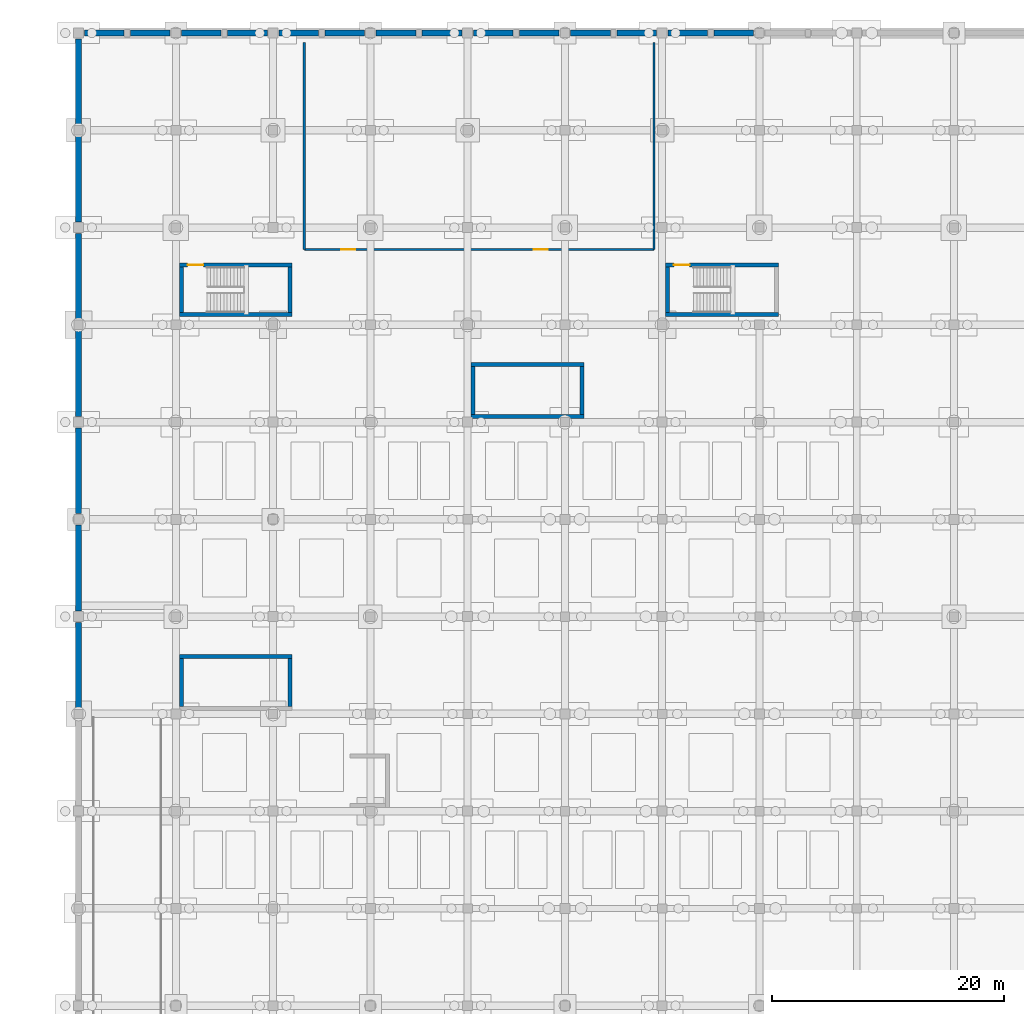
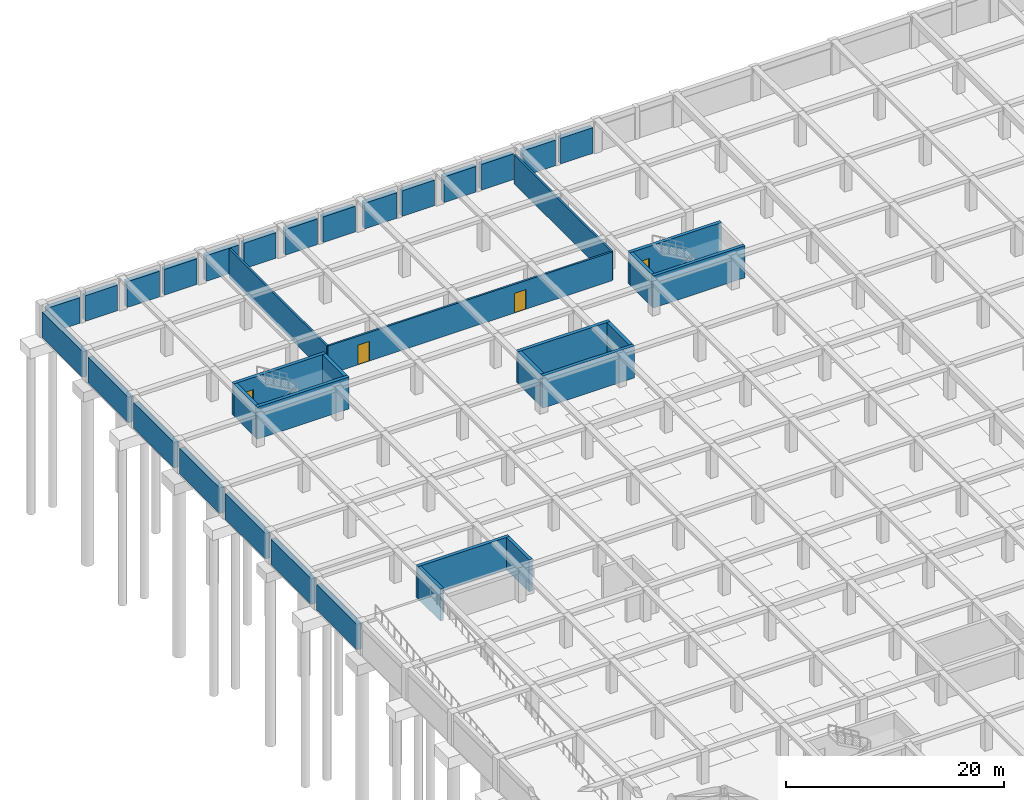
# One storey, part 20 of 47: 38 walls, 4 doors, 4 openings.
"""IFC4 building model written with IfcOpenShell, lengths in metres."""

import ifcopenshell
import ifcopenshell.guid

model = None  # the IFC model being written
_history = None  # IfcOwnerHistory: only IFC2X3 demands one
_inside = {}  # id of a spatial element -> (the spatial element, [elements in it])
_under = {}  # id of a project, library or spatial element -> (it, [spatial elements below it])
_declared = {}  # id of a project -> (the project, [libraries it declares])
_typed = {}  # id of a type object -> (the type object, [elements of that type])
_made_of = {}  # id of a material, layer set ... -> (it, [elements and type objects made of it])


def new_model(schema):
    """Start an empty IFC model of exactly this schema.

    Asked for "IFC4X3", IfcOpenShell would pick the latest addendum, in which some entities
    have other attributes; the version numbers below select the first issue.
    IFC2X3 requires an IfcOwnerHistory on every rooted entity: one is made here for all.
    """
    global model, _history
    if schema == "IFC4X3":
        model = ifcopenshell.file(schema_version=(4, 3, 0, 0))
    else:
        model = ifcopenshell.file(schema=schema)
    _inside.clear()
    _under.clear()
    _declared.clear()
    _typed.clear()
    _made_of.clear()
    _history = None
    if model.schema == "IFC2X3":
        org = make("IfcOrganization", Name="unknown")
        user = make(
            "IfcPersonAndOrganization",
            ThePerson=make("IfcPerson", FamilyName="unknown"),
            TheOrganization=org,
        )
        app = make(
            "IfcApplication",
            ApplicationDeveloper=org,
            Version="unknown",
            ApplicationFullName="unknown",
            ApplicationIdentifier="unknown",
        )
        _history = make(
            "IfcOwnerHistory",
            OwningUser=user,
            OwningApplication=app,
            ChangeAction="ADDED",
            CreationDate=0,
        )
    return model


def make(cls, **values):
    """One entity of the class cls with the attributes given. An attribute that is None is left unset."""
    return model.create_entity(
        cls, **{name: value for name, value in values.items() if value is not None}
    )


def rooted(cls, **values):
    """An entity with a GlobalId (a new one), such as an element, a storey or a relation."""
    return make(cls, GlobalId=ifcopenshell.guid.new(), OwnerHistory=_history, **values)


def si_unit(unit_type, name, prefix=None):
    """IfcSIUnit, for example si_unit("LENGTHUNIT", "METRE", prefix="MILLI")."""
    return make("IfcSIUnit", UnitType=unit_type, Prefix=prefix, Name=name)


def assignment(units):
    """IfcUnitAssignment: the units of a project."""
    return None if units is None else make("IfcUnitAssignment", Units=units)


def point(xyz):
    """IfcCartesianPoint."""
    return None if xyz is None else make("IfcCartesianPoint", Coordinates=xyz)


def direction(xyz):
    """IfcDirection."""
    return None if xyz is None else make("IfcDirection", DirectionRatios=xyz)


def frame(location, z_axis=None, x_axis=None):
    """IfcAxis2Placement3D, a coordinate frame: its origin and axes. An axis left out is left unset."""
    return make(
        "IfcAxis2Placement3D",
        Location=point(location),
        Axis=direction(z_axis),
        RefDirection=direction(x_axis),
    )


def frame_2d(location, x_axis=None):
    """IfcAxis2Placement2D, a coordinate frame in the plane: its origin and x axis."""
    return make(
        "IfcAxis2Placement2D", Location=point(location), RefDirection=direction(x_axis)
    )


def origin():
    """The frame at (0, 0, 0) with its axes left unset."""
    return frame((0.0, 0.0, 0.0))


def place(relative_to, where):
    """IfcLocalPlacement: puts the frame where relative to a parent placement (None: the world)."""
    return make(
        "IfcLocalPlacement", PlacementRelTo=relative_to, RelativePlacement=where
    )


def context(
    kind, dimensions, precision=None, world=None, true_north=None, identifier=None
):
    """IfcGeometricRepresentationContext, for example the 3D "Model" context."""
    return make(
        "IfcGeometricRepresentationContext",
        ContextIdentifier=identifier,
        ContextType=kind,
        CoordinateSpaceDimension=dimensions,
        Precision=precision,
        WorldCoordinateSystem=world,
        TrueNorth=true_north,
    )


def subcontext(parent, identifier, kind, view, scale=None):
    """IfcGeometricRepresentationSubContext, for example "Body" below "Model"."""
    return make(
        "IfcGeometricRepresentationSubContext",
        ContextIdentifier=identifier,
        ContextType=kind,
        ParentContext=parent,
        TargetScale=scale,
        TargetView=view,
    )


def project(units=None, contexts=None):
    """IfcProject with its units and contexts."""
    return rooted(
        "IfcProject",
        Name="project",
        RepresentationContexts=contexts,
        UnitsInContext=assignment(units),
    )


def spatial(cls, under=None, at=None, **own):
    """A site, building, storey or space (cls), placed at a placement, below another one or the project."""
    s = rooted(cls, ObjectPlacement=at, **own)
    if under is not None:
        _under.setdefault(under.id(), (under, []))[1].append(s)
    return s


def profile(cls, at=None, kind="AREA", **sizes):
    """A parametric profile (cls). Its sizes go by their IFC names, for example OverallWidth=200.0."""
    return make(cls, ProfileType=kind, Position=at, **sizes)


def rectangle(**sizes):
    """IfcRectangleProfileDef."""
    return profile("IfcRectangleProfileDef", **sizes)


def extrude(swept, where, along, depth):
    """IfcExtrudedAreaSolid: the profile swept, set in the frame where, extruded along a direction by depth."""
    return make(
        "IfcExtrudedAreaSolid",
        SweptArea=swept,
        Position=where,
        ExtrudedDirection=direction(along),
        Depth=depth,
    )


def shape(context_of_items, identifier, shape_type, items):
    """IfcShapeRepresentation: the items that make up one representation, for example the "Body"."""
    return make(
        "IfcShapeRepresentation",
        ContextOfItems=context_of_items,
        RepresentationIdentifier=identifier,
        RepresentationType=shape_type,
        Items=items,
    )


def material(Name=None, Category=None):
    """IfcMaterial."""
    return make("IfcMaterial", Name=Name, Category=Category)


def layer(
    of_material, thickness, ventilated=None, Name=None, Category=None, Priority=None
):
    """IfcMaterialLayer: one layer of a wall or slab, of a material (None: an air gap)."""
    return make(
        "IfcMaterialLayer",
        Material=of_material,
        LayerThickness=thickness,
        IsVentilated=ventilated,
        Name=Name,
        Category=Category,
        Priority=Priority,
    )


def layer_set(layers, Name=None):
    """IfcMaterialLayerSet."""
    return make("IfcMaterialLayerSet", MaterialLayers=layers, LayerSetName=Name)


def made_of(thing, what):
    """Note that an element or type object is made of a material, layer set ...; save() writes the relation."""
    if what is not None:
        _made_of.setdefault(what.id(), (what, []))[1].append(thing)
    return thing


def type_object(cls, material=None, **own):
    """A type object (cls), such as IfcWallType, which elements share."""
    return made_of(rooted(cls, **own), material)


def element(
    cls,
    number,
    at=None,
    inside=None,
    cuts=None,
    type_object=None,
    material=None,
    context=None,
    identifier="Body",
    shape_type=None,
    held_by="IfcProductDefinitionShape",
    body=None,
    shapes=None,
    **own,
):
    """One element of the class cls, such as IfcWall. Its Tag is "e" and its number.

    at: its placement. inside: the storey or other place that contains it. cuts: it is an
    opening in that element (IfcRelVoidsElement). A single representation is given by context,
    identifier, shape_type and body (its items); several are given by shapes. held_by: the class
    of the entity that holds the representations. save() writes the other relations.
    """
    e = rooted(cls, Tag="e%d" % number, ObjectPlacement=at, **own)
    if body is not None:
        shapes = [shape(context, identifier, shape_type, body)]
    if shapes is not None:
        e.Representation = make(held_by, Representations=shapes)
    if inside is not None:
        _inside.setdefault(inside.id(), (inside, []))[1].append(e)
    if cuts is not None:
        rooted(
            "IfcRelVoidsElement", RelatingBuildingElement=cuts, RelatedOpeningElement=e
        )
    if type_object is not None:
        _typed.setdefault(type_object.id(), (type_object, []))[1].append(e)
    return made_of(e, material)


def fill(opening, filler):
    """IfcRelFillsElement: the door or window that sits in an opening."""
    return rooted(
        "IfcRelFillsElement",
        RelatingOpeningElement=opening,
        RelatedBuildingElement=filler,
    )


def aggregate(whole, parts):
    """IfcRelAggregates: a whole, such as a stair, and the parts it consists of."""
    return rooted("IfcRelAggregates", RelatingObject=whole, RelatedObjects=parts)


def save(model, path):
    """Write the relations noted so far, then the file.

    IfcRelAggregates (storeys below a building ...), IfcRelContainedInSpatialStructure (elements
    in a storey), IfcRelDefinesByType, IfcRelAssociatesMaterial and IfcRelDeclares: one each for
    every whole, place, type object, material and project.
    """
    for whole, parts in _under.values():
        aggregate(whole, parts)
    for where, things in _inside.values():
        rooted(
            "IfcRelContainedInSpatialStructure",
            RelatedElements=things,
            RelatingStructure=where,
        )
    for kind, things in _typed.values():
        rooted("IfcRelDefinesByType", RelatedObjects=things, RelatingType=kind)
    for what, things in _made_of.values():
        rooted("IfcRelAssociatesMaterial", RelatedObjects=things, RelatingMaterial=what)
    for by, libraries in _declared.values():
        rooted("IfcRelDeclares", RelatingContext=by, RelatedDefinitions=libraries)
    model.write(path)


model = new_model("IFC4")

# Units and contexts
model_context = context("Model", 3, precision=1e-05, world=origin(), true_north=direction((0.0, 1.0)))
body_context = subcontext(model_context, "Body", "Model", "MODEL_VIEW")
ifc_project = project(units=[si_unit("LENGTHUNIT", "METRE"), si_unit("AREAUNIT", "SQUARE_METRE"), si_unit("VOLUMEUNIT", "CUBIC_METRE"), si_unit("PLANEANGLEUNIT", "RADIAN"), si_unit("MASSUNIT", "GRAM", prefix="KILO")], contexts=[model_context])

# Site, building, storey
site_placement = place(None, origin())
site = spatial("IfcSite", under=ifc_project, at=site_placement, CompositionType="ELEMENT")
building_placement = place(site_placement, origin())
building = spatial("IfcBuilding", under=site, at=building_placement, Name="Almacenes y Pasaje Nevantli", CompositionType="ELEMENT")
storey_placement = place(building_placement, frame((0.0, 0.0, -8.10009765625)))
storey = spatial("IfcBuildingStorey", under=building, at=storey_placement, Name="B02", CompositionType="ELEMENT", Elevation=-8.10009765625)

# Wall, openings, doors
ifc_material_1 = material(Name="Fire-Rated Concrete Blockwork", Category="masonry")
ifc_layer_1 = layer(ifc_material_1, 0.199951171875)
ifc_layer_set_1 = layer_set([ifc_layer_1], Name="Fire-Rated Concrete Blockwork")
wall_type_1 = type_object("IfcWallType", Name="WL-COMP-200", PredefinedType="PARTITIONING", material=ifc_layer_set_1)
wall_1_placement = place(storey_placement, frame((19.5, 98.89990234375, 0.0), z_axis=(0.0, 0.0, 1.0), x_axis=(1.0, 0.0, 0.0)))
wall_1 = element("IfcWall", 1, at=wall_1_placement, inside=storey, type_object=wall_type_1, Name="B02 Interior Partition Wall IW-200 #12", PredefinedType="PARTITIONING", context=body_context, shape_type="SweptSolid", body=[
    extrude(rectangle(XDim=30.199951171875, YDim=0.199951171875, at=frame_2d((15.10009765625, 0.0))), origin(), (0.0, 0.0, 1.0), 3.22021484375),
])
opening_1_placement = place(wall_1_placement, frame((3.199951171875, 0.0, 0.0)))
opening_1 = element("IfcOpeningElement", 2, at=opening_1_placement, cuts=wall_1, Name="Opening ID-B02-004", PredefinedType="OPENING", context=body_context, shape_type="SweptSolid", body=[
    extrude(rectangle(XDim=1.199951171875, YDim=2.199951171875, at=frame_2d((0.60009765625, 1.10009765625))), frame((0.0, 0.10986328125, 0.0), z_axis=(0.0, -1.0, 0.0), x_axis=(1.0, 0.0, 0.0)), (0.0, 0.0, 1.0), 0.219970703125),
])
opening_2_placement = place(wall_1_placement, frame((19.800048828125, 0.0, 0.0)))
opening_2 = element("IfcOpeningElement", 3, at=opening_2_placement, cuts=wall_1, Name="Opening ID-B02-005", PredefinedType="OPENING", context=body_context, shape_type="SweptSolid", body=[
    extrude(rectangle(XDim=1.199951171875, YDim=2.199951171875, at=frame_2d((0.60009765625, 1.10009765625))), frame((0.0, 0.10986328125, 0.0), z_axis=(0.0, -1.0, 0.0), x_axis=(1.0, 0.0, 0.0)), (0.0, 0.0, 1.0), 0.219970703125),
])
ifc_material_2 = material(Name="Galvanized Fire-Rated Steel", Category="steel")
door_type_1 = type_object("IfcDoorType", Name="DR-FD60-1200", OperationType="SINGLE_SWING_LEFT", PredefinedType="DOOR", material=ifc_material_2)
door_1_placement = place(opening_1_placement, origin())
door_1 = element("IfcDoor", 4, at=door_1_placement, inside=storey, type_object=door_type_1, Name="B02 Basement Plant Room Door 1", OperationType="SINGLE_SWING_LEFT", OverallHeight=2.199951171875, OverallWidth=1.199951171875, PredefinedType="DOOR", context=body_context, shape_type="SweptSolid", body=[
    extrude(rectangle(XDim=1.199951171875, YDim=2.199951171875, at=frame_2d((0.60009765625, 1.10009765625))), frame((0.0, 0.02490234375, 0.0), z_axis=(0.0, -1.0, 0.0), x_axis=(1.0, 0.0, 0.0)), (0.0, 0.0, 1.0), 0.050048828125),
])
fill(opening_1, door_1)
ifc_material_3 = material(Name="Galvanized Fire-Rated Steel", Category="steel")
door_type_2 = type_object("IfcDoorType", Name="DR-FD60-1200R", OperationType="SINGLE_SWING_RIGHT", PredefinedType="DOOR", material=ifc_material_3)
door_2_placement = place(opening_2_placement, origin())
door_2 = element("IfcDoor", 5, at=door_2_placement, inside=storey, type_object=door_type_2, Name="B02 Basement Plant Room Door 2", OperationType="SINGLE_SWING_RIGHT", OverallHeight=2.199951171875, OverallWidth=1.199951171875, PredefinedType="DOOR", context=body_context, shape_type="SweptSolid", body=[
    extrude(rectangle(XDim=1.199951171875, YDim=2.199951171875, at=frame_2d((0.60009765625, 1.10009765625))), frame((0.0, 0.02490234375, 0.0), z_axis=(0.0, -1.0, 0.0), x_axis=(1.0, 0.0, 0.0)), (0.0, 0.0, 1.0), 0.050048828125),
])
fill(opening_2, door_2)

# Walls
for number, where, z_axis, x_axis, name in (
    (6, (19.5, 98.89990234375, 0.0), (0.0, 0.0, 1.0), (0.0, 1.0, 0.0), "B02 Interior Partition Wall IW-200 #13"),
    (7, (49.699951171875, 98.89990234375, 0.0), (0.0, 0.0, 1.0), (0.0, 1.0, 0.0), "B02 Interior Partition Wall IW-200 #14"),
):
    element("IfcWall", number, at=place(storey_placement, frame(where, z_axis=z_axis, x_axis=x_axis)), inside=storey, type_object=wall_type_1, Name=name, PredefinedType="PARTITIONING", context=body_context, shape_type="SweptSolid", body=[
        extrude(rectangle(XDim=17.900146484375, YDim=0.199951171875, at=frame_2d((8.9501953125, 0.0))), origin(), (0.0, 0.0, 1.0), 3.22021484375),
    ])
ifc_material_4 = material(Name="Concrete C45/55", Category="concrete")
ifc_layer_2 = layer(ifc_material_4, 0.35009765625)
ifc_layer_set_2 = layer_set([ifc_layer_2], Name="Concrete C45/55")
wall_type_2 = type_object("IfcWallType", Name="WL-CORE-350", PredefinedType="SHEAR", material=ifc_layer_set_2)
wall_2_placement = place(storey_placement, frame((8.699951171875, 93.27490234375, 0.0), z_axis=(0.0, 0.0, 1.0), x_axis=(1.0, 0.0, 0.0)))
element("IfcWall", 8, at=wall_2_placement, inside=storey, type_object=wall_type_2, Name="B02 Exit Stair ST-03 South Core Shear Wall", PredefinedType="SHEAR", context=body_context, shape_type="SweptSolid", body=[
    extrude(rectangle(XDim=9.75, YDim=0.35009765625, at=frame_2d((4.875, 0.0))), origin(), (0.0, 0.0, 1.0), 3.60009765625),
])

# Wall, opening, door
wall_3_placement = place(storey_placement, frame((8.699951171875, 97.574951171875, 0.0), z_axis=(0.0, 0.0, 1.0), x_axis=(1.0, 0.0, 0.0)))
wall_3 = element("IfcWall", 9, at=wall_3_placement, inside=storey, type_object=wall_type_2, Name="B02 Exit Stair ST-03 North Core Shear Wall", PredefinedType="SHEAR", context=body_context, shape_type="SweptSolid", body=[
    extrude(rectangle(XDim=9.75, YDim=0.35009765625, at=frame_2d((4.875, 0.0))), origin(), (0.0, 0.0, 1.0), 3.60009765625),
])
opening_3_placement = place(wall_3_placement, frame((0.719970703125, 0.0, 0.0)))
opening_3 = element("IfcOpeningElement", 10, at=opening_3_placement, cuts=wall_3, Name="Opening SD-03-B02", PredefinedType="OPENING", context=body_context, shape_type="SweptSolid", body=[
    extrude(rectangle(XDim=1.35009765625, YDim=2.25, at=frame_2d((0.675048828125, 1.125))), frame((0.0, 0.18505859375, 0.0), z_axis=(0.0, -1.0, 0.0), x_axis=(1.0, 0.0, 0.0)), (0.0, 0.0, 1.0), 0.3701171875),
])
ifc_material_5 = material(Name="Galvanized Fire-Rated Steel", Category="steel")
door_type_3 = type_object("IfcDoorType", Name="DR-STAIR-1350", OperationType="SINGLE_SWING_LEFT", PredefinedType="DOOR", material=ifc_material_5)
door_3_placement = place(opening_3_placement, origin())
door_3 = element("IfcDoor", 11, at=door_3_placement, inside=storey, type_object=door_type_3, Name="B02 Smokeproof Exit Stair ST-03 Fire Door", OperationType="SINGLE_SWING_LEFT", OverallHeight=2.25, OverallWidth=1.35009765625, PredefinedType="DOOR", context=body_context, shape_type="SweptSolid", body=[
    extrude(rectangle(XDim=1.35009765625, YDim=2.25, at=frame_2d((0.675048828125, 1.125))), frame((0.0, 0.02490234375, 0.0), z_axis=(0.0, -1.0, 0.0), x_axis=(1.0, 0.0, 0.0)), (0.0, 0.0, 1.0), 0.050048828125),
])
fill(opening_3, door_3)

# Walls
for number, where, z_axis, x_axis, name in (
    (12, (8.875, 93.449951171875, 0.0), (0.0, 0.0, 1.0), (0.0, 1.0, 0.0), "B02 Exit Stair ST-03 West Core Shear Wall"),
    (13, (18.27490234375, 93.449951171875, 0.0), (0.0, 0.0, 1.0), (0.0, 1.0, 0.0), "B02 Exit Stair ST-03 East Core Shear Wall"),
):
    element("IfcWall", number, at=place(storey_placement, frame(where, z_axis=z_axis, x_axis=x_axis)), inside=storey, type_object=wall_type_2, Name=name, PredefinedType="SHEAR", context=body_context, shape_type="SweptSolid", body=[
        extrude(rectangle(XDim=3.949951171875, YDim=0.35009765625, at=frame_2d((1.97509765625, 0.0))), origin(), (0.0, 0.0, 1.0), 3.60009765625),
    ])
wall_4_placement = place(storey_placement, frame((50.699951171875, 93.27490234375, 0.0), z_axis=(0.0, 0.0, 1.0), x_axis=(1.0, 0.0, 0.0)))
element("IfcWall", 14, at=wall_4_placement, inside=storey, type_object=wall_type_2, Name="B02 Exit Stair ST-05 South Core Shear Wall", PredefinedType="SHEAR", context=body_context, shape_type="SweptSolid", body=[
    extrude(rectangle(XDim=9.75, YDim=0.35009765625, at=frame_2d((4.875, 0.0))), origin(), (0.0, 0.0, 1.0), 3.60009765625),
])

# Wall, opening, door
wall_5_placement = place(storey_placement, frame((50.699951171875, 97.574951171875, 0.0), z_axis=(0.0, 0.0, 1.0), x_axis=(1.0, 0.0, 0.0)))
wall_5 = element("IfcWall", 15, at=wall_5_placement, inside=storey, type_object=wall_type_2, Name="B02 Exit Stair ST-05 North Core Shear Wall", PredefinedType="SHEAR", context=body_context, shape_type="SweptSolid", body=[
    extrude(rectangle(XDim=9.75, YDim=0.35009765625, at=frame_2d((4.875, 0.0))), origin(), (0.0, 0.0, 1.0), 3.60009765625),
])
opening_4_placement = place(wall_5_placement, frame((0.719970703125, 0.0, 0.0)))
opening_4 = element("IfcOpeningElement", 16, at=opening_4_placement, cuts=wall_5, Name="Opening SD-05-B02", PredefinedType="OPENING", context=body_context, shape_type="SweptSolid", body=[
    extrude(rectangle(XDim=1.35009765625, YDim=2.25, at=frame_2d((0.675048828125, 1.125))), frame((0.0, 0.18505859375, 0.0), z_axis=(0.0, -1.0, 0.0), x_axis=(1.0, 0.0, 0.0)), (0.0, 0.0, 1.0), 0.3701171875),
])
door_4_placement = place(opening_4_placement, origin())
door_4 = element("IfcDoor", 17, at=door_4_placement, inside=storey, type_object=door_type_3, Name="B02 Smokeproof Exit Stair ST-05 Fire Door", OperationType="SINGLE_SWING_LEFT", OverallHeight=2.25, OverallWidth=1.35009765625, PredefinedType="DOOR", context=body_context, shape_type="SweptSolid", body=[
    extrude(rectangle(XDim=1.35009765625, YDim=2.25, at=frame_2d((0.675048828125, 1.125))), frame((0.0, 0.02490234375, 0.0), z_axis=(0.0, -1.0, 0.0), x_axis=(1.0, 0.0, 0.0)), (0.0, 0.0, 1.0), 0.050048828125),
])
fill(opening_4, door_4)

# Walls
wall_6_placement = place(storey_placement, frame((50.875, 93.449951171875, 0.0), z_axis=(0.0, 0.0, 1.0), x_axis=(0.0, 1.0, 0.0)))
element("IfcWall", 18, at=wall_6_placement, inside=storey, type_object=wall_type_2, Name="B02 Exit Stair ST-05 West Core Shear Wall", PredefinedType="SHEAR", context=body_context, shape_type="SweptSolid", body=[
    extrude(rectangle(XDim=3.949951171875, YDim=0.35009765625, at=frame_2d((1.97509765625, 0.0))), origin(), (0.0, 0.0, 1.0), 3.60009765625),
])
wall_7_placement = place(storey_placement, frame((8.699951171875, 63.77490234375, 0.0), z_axis=(0.0, 0.0, 1.0), x_axis=(1.0, 0.0, 0.0)))
element("IfcWall", 19, at=wall_7_placement, inside=storey, type_object=wall_type_2, Name="B02 Exit Stair ST-12 North Core Shear Wall", PredefinedType="SHEAR", context=body_context, shape_type="SweptSolid", body=[
    extrude(rectangle(XDim=9.75, YDim=0.35009765625, at=frame_2d((4.875, 0.0))), origin(), (0.0, 0.0, 1.0), 3.60009765625),
])
for number, where, z_axis, x_axis, name in (
    (20, (8.875, 59.449951171875, 0.0), (0.0, 0.0, 1.0), (0.0, 1.0, 0.0), "B02 Exit Stair ST-12 West Core Shear Wall"),
    (21, (18.27490234375, 59.449951171875, 0.0), (0.0, 0.0, 1.0), (0.0, 1.0, 0.0), "B02 Exit Stair ST-12 East Core Shear Wall"),
):
    element("IfcWall", number, at=place(storey_placement, frame(where, z_axis=z_axis, x_axis=x_axis)), inside=storey, type_object=wall_type_2, Name=name, PredefinedType="SHEAR", context=body_context, shape_type="SweptSolid", body=[
        extrude(rectangle(XDim=4.150146484375, YDim=0.35009765625, at=frame_2d((2.0751953125, 0.0))), origin(), (0.0, 0.0, 1.0), 3.60009765625),
    ])
for number, where, z_axis, x_axis, name in (
    (22, (33.89990234375, 84.47509765625, 0.0), (0.0, 0.0, 1.0), (1.0, 0.0, 0.0), "B02 Exit Stair ST-15 South Core Shear Wall"),
    (23, (33.89990234375, 88.97509765625, 0.0), (0.0, 0.0, 1.0), (1.0, 0.0, 0.0), "B02 Exit Stair ST-15 North Core Shear Wall"),
):
    element("IfcWall", number, at=place(storey_placement, frame(where, z_axis=z_axis, x_axis=x_axis)), inside=storey, type_object=wall_type_2, Name=name, PredefinedType="SHEAR", context=body_context, shape_type="SweptSolid", body=[
        extrude(rectangle(XDim=9.75, YDim=0.35009765625, at=frame_2d((4.875, 0.0))), origin(), (0.0, 0.0, 1.0), 3.60009765625),
    ])
for number, where, z_axis, x_axis, name in (
    (24, (34.074951171875, 84.64990234375, 0.0), (0.0, 0.0, 1.0), (0.0, 1.0, 0.0), "B02 Exit Stair ST-15 West Core Shear Wall"),
    (25, (43.47509765625, 84.64990234375, 0.0), (0.0, 0.0, 1.0), (0.0, 1.0, 0.0), "B02 Exit Stair ST-15 East Core Shear Wall"),
):
    element("IfcWall", number, at=place(storey_placement, frame(where, z_axis=z_axis, x_axis=x_axis)), inside=storey, type_object=wall_type_2, Name=name, PredefinedType="SHEAR", context=body_context, shape_type="SweptSolid", body=[
        extrude(rectangle(XDim=4.150146484375, YDim=0.35009765625, at=frame_2d((2.0751953125, 0.0))), origin(), (0.0, 0.0, 1.0), 3.60009765625),
    ])
ifc_material_6 = material(Name="Concrete C45/55", Category="concrete")
ifc_layer_3 = layer(ifc_material_6, 0.5)
ifc_layer_set_3 = layer_set([ifc_layer_3], Name="Concrete C45/55")
wall_type_3 = type_object("IfcWallType", Name="WL-RET-500", PredefinedType="SHEAR", material=ifc_layer_set_3)
for number, where, z_axis, x_axis, name in (
    (26, (0.5, 117.60009765625, 0.0), (0.0, 0.0, 1.0), (1.0, 0.0, 0.0), "B02 North Basement Retaining Shear Wall #1A"),
    (27, (4.47998046875, 117.60009765625, 0.0), (0.0, 0.0, 1.0), (1.0, 0.0, 0.0), "B02 North Basement Retaining Shear Wall #1B"),
):
    element("IfcWall", number, at=place(storey_placement, frame(where, z_axis=z_axis, x_axis=x_axis)), inside=storey, type_object=wall_type_3, Name=name, PredefinedType="SHEAR", context=body_context, shape_type="SweptSolid", body=[
        extrude(rectangle(XDim=3.419921875, YDim=0.5, at=frame_2d((1.7099609375, 0.0))), origin(), (0.0, 0.0, 1.0), 2.880126953125),
    ])
for number, where, z_axis, x_axis, name in (
    (28, (8.89990234375, 117.60009765625, 0.0), (0.0, 0.0, 1.0), (1.0, 0.0, 0.0), "B02 North Basement Retaining Shear Wall #2A"),
    (29, (12.8798828125, 117.60009765625, 0.0), (0.0, 0.0, 1.0), (1.0, 0.0, 0.0), "B02 North Basement Retaining Shear Wall #2B"),
):
    element("IfcWall", number, at=place(storey_placement, frame(where, z_axis=z_axis, x_axis=x_axis)), inside=storey, type_object=wall_type_3, Name=name, PredefinedType="SHEAR", context=body_context, shape_type="SweptSolid", body=[
        extrude(rectangle(XDim=3.420166015625, YDim=0.5, at=frame_2d((1.7099609375, 0.0))), origin(), (0.0, 0.0, 1.0), 2.880126953125),
    ])
for number, where, z_axis, x_axis, name in (
    (30, (17.300048828125, 117.60009765625, 0.0), (0.0, 0.0, 1.0), (1.0, 0.0, 0.0), "B02 North Basement Retaining Shear Wall #3A"),
    (31, (21.280029296875, 117.60009765625, 0.0), (0.0, 0.0, 1.0), (1.0, 0.0, 0.0), "B02 North Basement Retaining Shear Wall #3B"),
):
    element("IfcWall", number, at=place(storey_placement, frame(where, z_axis=z_axis, x_axis=x_axis)), inside=storey, type_object=wall_type_3, Name=name, PredefinedType="SHEAR", context=body_context, shape_type="SweptSolid", body=[
        extrude(rectangle(XDim=3.419921875, YDim=0.5, at=frame_2d((1.7099609375, 0.0))), origin(), (0.0, 0.0, 1.0), 2.880126953125),
    ])
for number, where, z_axis, x_axis, name in (
    (32, (25.699951171875, 117.60009765625, 0.0), (0.0, 0.0, 1.0), (1.0, 0.0, 0.0), "B02 North Basement Retaining Shear Wall #4A"),
    (33, (29.679931640625, 117.60009765625, 0.0), (0.0, 0.0, 1.0), (1.0, 0.0, 0.0), "B02 North Basement Retaining Shear Wall #4B"),
):
    element("IfcWall", number, at=place(storey_placement, frame(where, z_axis=z_axis, x_axis=x_axis)), inside=storey, type_object=wall_type_3, Name=name, PredefinedType="SHEAR", context=body_context, shape_type="SweptSolid", body=[
        extrude(rectangle(XDim=3.420166015625, YDim=0.5, at=frame_2d((1.7099609375, 0.0))), origin(), (0.0, 0.0, 1.0), 2.880126953125),
    ])
for number, where, z_axis, x_axis, name in (
    (34, (34.10009765625, 117.60009765625, 0.0), (0.0, 0.0, 1.0), (1.0, 0.0, 0.0), "B02 North Basement Retaining Shear Wall #5A"),
    (35, (38.080078125, 117.60009765625, 0.0), (0.0, 0.0, 1.0), (1.0, 0.0, 0.0), "B02 North Basement Retaining Shear Wall #5B"),
    (36, (42.5, 117.60009765625, 0.0), (0.0, 0.0, 1.0), (1.0, 0.0, 0.0), "B02 North Basement Retaining Shear Wall #6A"),
    (37, (46.47998046875, 117.60009765625, 0.0), (0.0, 0.0, 1.0), (1.0, 0.0, 0.0), "B02 North Basement Retaining Shear Wall #6B"),
):
    element("IfcWall", number, at=place(storey_placement, frame(where, z_axis=z_axis, x_axis=x_axis)), inside=storey, type_object=wall_type_3, Name=name, PredefinedType="SHEAR", context=body_context, shape_type="SweptSolid", body=[
        extrude(rectangle(XDim=3.419921875, YDim=0.5, at=frame_2d((1.7099609375, 0.0))), origin(), (0.0, 0.0, 1.0), 2.880126953125),
    ])
for number, where, z_axis, x_axis, name in (
    (38, (50.89990234375, 117.60009765625, 0.0), (0.0, 0.0, 1.0), (1.0, 0.0, 0.0), "B02 North Basement Retaining Shear Wall #7A"),
    (39, (54.8798828125, 117.60009765625, 0.0), (0.0, 0.0, 1.0), (1.0, 0.0, 0.0), "B02 North Basement Retaining Shear Wall #7B"),
):
    element("IfcWall", number, at=place(storey_placement, frame(where, z_axis=z_axis, x_axis=x_axis)), inside=storey, type_object=wall_type_3, Name=name, PredefinedType="SHEAR", context=body_context, shape_type="SweptSolid", body=[
        extrude(rectangle(XDim=3.420166015625, YDim=0.5, at=frame_2d((1.7099609375, 0.0))), origin(), (0.0, 0.0, 1.0), 2.880126953125),
    ])
wall_8_placement = place(storey_placement, frame((0.0, 59.300048828125, 0.0), z_axis=(0.0, 0.0, 1.0), x_axis=(0.0, 1.0, 0.0)))
element("IfcWall", 40, at=wall_8_placement, inside=storey, type_object=wall_type_3, Name="B02 West Basement Retaining Shear Wall #8", PredefinedType="SHEAR", context=body_context, shape_type="SweptSolid", body=[
    extrude(rectangle(XDim=7.39990234375, YDim=0.5, at=frame_2d((3.699951171875, 0.0))), origin(), (0.0, 0.0, 1.0), 2.880126953125),
])
wall_9_placement = place(storey_placement, frame((0.0, 67.699951171875, 0.0), z_axis=(0.0, 0.0, 1.0), x_axis=(0.0, 1.0, 0.0)))
element("IfcWall", 41, at=wall_9_placement, inside=storey, type_object=wall_type_3, Name="B02 West Basement Retaining Shear Wall #9", PredefinedType="SHEAR", context=body_context, shape_type="SweptSolid", body=[
    extrude(rectangle(XDim=7.400146484375, YDim=0.5, at=frame_2d((3.7001953125, 0.0))), origin(), (0.0, 0.0, 1.0), 2.880126953125),
])
for number, where, z_axis, x_axis, name in (
    (42, (0.0, 76.10009765625, 0.0), (0.0, 0.0, 1.0), (0.0, 1.0, 0.0), "B02 West Basement Retaining Shear Wall #10"),
    (43, (0.0, 84.5, 0.0), (0.0, 0.0, 1.0), (0.0, 1.0, 0.0), "B02 West Basement Retaining Shear Wall #11"),
):
    element("IfcWall", number, at=place(storey_placement, frame(where, z_axis=z_axis, x_axis=x_axis)), inside=storey, type_object=wall_type_3, Name=name, PredefinedType="SHEAR", context=body_context, shape_type="SweptSolid", body=[
        extrude(rectangle(XDim=7.39990234375, YDim=0.5, at=frame_2d((3.699951171875, 0.0))), origin(), (0.0, 0.0, 1.0), 2.880126953125),
    ])
wall_10_placement = place(storey_placement, frame((0.0, 92.89990234375, 0.0), z_axis=(0.0, 0.0, 1.0), x_axis=(0.0, 1.0, 0.0)))
element("IfcWall", 44, at=wall_10_placement, inside=storey, type_object=wall_type_3, Name="B02 West Basement Retaining Shear Wall #12", PredefinedType="SHEAR", context=body_context, shape_type="SweptSolid", body=[
    extrude(rectangle(XDim=7.400146484375, YDim=0.5, at=frame_2d((3.7001953125, 0.0))), origin(), (0.0, 0.0, 1.0), 2.880126953125),
])
wall_11_placement = place(storey_placement, frame((0.0, 101.300048828125, 0.0), z_axis=(0.0, 0.0, 1.0), x_axis=(0.0, 1.0, 0.0)))
element("IfcWall", 45, at=wall_11_placement, inside=storey, type_object=wall_type_3, Name="B02 West Basement Retaining Shear Wall #13", PredefinedType="SHEAR", context=body_context, shape_type="SweptSolid", body=[
    extrude(rectangle(XDim=7.39990234375, YDim=0.5, at=frame_2d((3.699951171875, 0.0))), origin(), (0.0, 0.0, 1.0), 2.880126953125),
])
wall_12_placement = place(storey_placement, frame((0.0, 109.699951171875, 0.0), z_axis=(0.0, 0.0, 1.0), x_axis=(0.0, 1.0, 0.0)))
element("IfcWall", 46, at=wall_12_placement, inside=storey, type_object=wall_type_3, Name="B02 West Basement Retaining Shear Wall #14", PredefinedType="SHEAR", context=body_context, shape_type="SweptSolid", body=[
    extrude(rectangle(XDim=7.400146484375, YDim=0.5, at=frame_2d((3.7001953125, 0.0))), origin(), (0.0, 0.0, 1.0), 2.880126953125),
])

save(model, "model.ifc")
